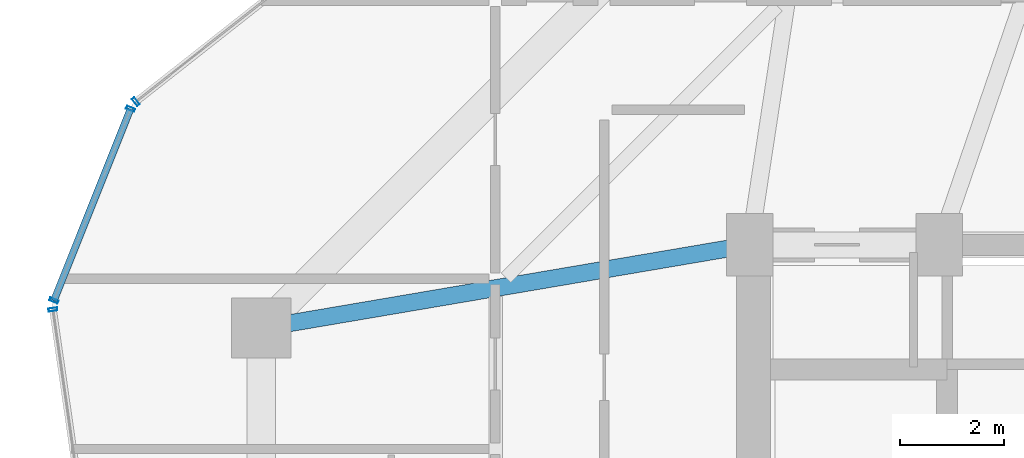
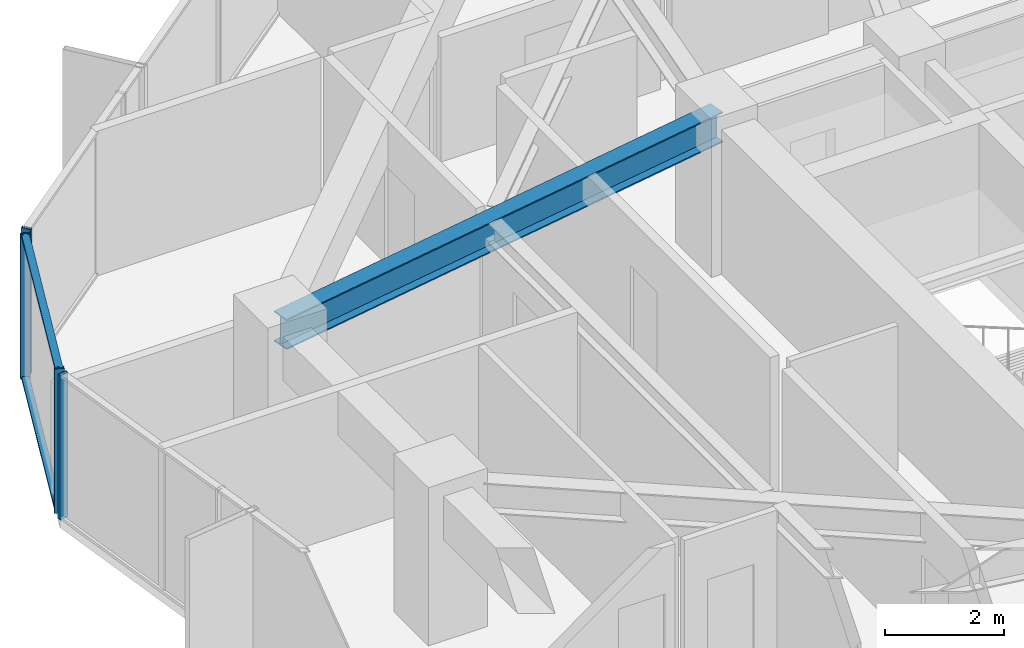
# One storey, part 12 of 34: 6 members, 1 beam, 3 elements without a shape of their own.
"""IFC4 building model written with IfcOpenShell, lengths in metres."""

from ifc_helpers import new_model, si_unit, direction, frame, origin, origin_2d, place, context, subcontext, project, spatial, hollow_rectangle, i_section, extrude, source, transform, mapped, material, layer, layer_set, material_profile, profile_set, type_object, element, aggregate, save


model = new_model("IFC4")

# Units and contexts
model_context = context("Model", 3, precision=1e-05, world=origin(), true_north=direction((0.0, 1.0)))
body_context = subcontext(model_context, "Body", "Model", "MODEL_VIEW")
ifc_project = project(units=[si_unit("LENGTHUNIT", "METRE"), si_unit("AREAUNIT", "SQUARE_METRE"), si_unit("VOLUMEUNIT", "CUBIC_METRE"), si_unit("PLANEANGLEUNIT", "RADIAN"), si_unit("MASSUNIT", "GRAM", prefix="KILO")], contexts=[model_context])

# Site, building, storey
site_placement = place(None, origin())
site = spatial("IfcSite", under=ifc_project, at=site_placement, CompositionType="ELEMENT")
building_placement = place(site_placement, origin())
building = spatial("IfcBuilding", under=site, at=building_placement, Name="Veraguas Prism Commons", CompositionType="ELEMENT")
storey_placement = place(building_placement, frame((0.0, 0.0, 155.5)))
storey = spatial("IfcBuildingStorey", under=building, at=storey_placement, Name="L44", CompositionType="ELEMENT", Elevation=155.5)

# Beam
ifc_material_1 = material(Name="Steel ASTM A992 Grade 50", Category="steel")
ifc_material_profile_1 = material_profile(ifc_material_1, i_section(OverallWidth=0.327880859375, OverallDepth=0.6220703125, WebThickness=0.015380859375, FlangeThickness=0.0244140625, at=origin_2d()), Name="W610X195")
ifc_profile_set_1 = profile_set([ifc_material_profile_1], Name="Steel ASTM A992 Grade 50")
beam_type = type_object("IfcBeamType", Name="Zone 2 Radial Girder W610x195", PredefinedType="BEAM", material=ifc_profile_set_1)
beam_placement = place(storey_placement, frame((7.800048828125, 29.39990234375, 2.658935546875), z_axis=(0.985819187151, 0.1678109956, 0.0), x_axis=(-0.1678109956, 0.985819187151, 0.0)))
element("IfcBeam", 1, at=beam_placement, inside=storey, type_object=beam_type, Name="Radial Floor Girder L44-RD07", PredefinedType="BEAM", context=body_context, shape_type="SweptSolid", body=[
    extrude(i_section(OverallWidth=0.327880859375, OverallDepth=0.6220703125, WebThickness=0.015380859375, FlangeThickness=0.0244140625, at=origin_2d()), origin(), (0.0, 0.0, 1.0), 9.53515625),
])

# Curtain wall, member
ifc_material_2 = material(Name="Anodised aluminium EN AW-6063 T6", Category="aluminium")
ifc_layer = layer(ifc_material_2, 0.169921875, Name="Unitised Flush Curtain Wall Zone 2", Category="aluminium")
ifc_layer_set = layer_set([ifc_layer], Name="Anodised aluminium EN AW-6063 T6")
curtain_wall_type = type_object("IfcCurtainWallType", Name="Unitised Flush Curtain Wall Zone 2", PredefinedType="NOTDEFINED", material=ifc_layer_set)
curtain_wall_1_placement = place(storey_placement, origin())
curtain_wall_1 = element("IfcCurtainWall", 2, at=curtain_wall_1_placement, inside=storey, type_object=curtain_wall_type, Name="Tower Facade Curtain Wall L44-F2", PredefinedType="NOTDEFINED")
ifc_material_profile_2 = material_profile(ifc_material_2, hollow_rectangle(XDim=0.06005859375, YDim=0.169921875, WallThickness=0.00390625, at=origin_2d()), Name="AL60X170X4")
ifc_profile_set_2 = profile_set([ifc_material_profile_2], Name="Anodised aluminium EN AW-6063 T6")
member_type_1 = type_object("IfcMemberType", Name="Curtain Wall Mullion Lower AL 60x170x4", PredefinedType="MULLION", material=ifc_profile_set_2)
shared_shape_1 = source(origin(), body_context, "Body", "SweptSolid", [
    extrude(hollow_rectangle(XDim=0.06005859375, YDim=0.169921875, WallThickness=0.00390625, at=origin_2d()), origin(), (0.0, 0.0, 1.0), 2.969970703125),
])
member_1_placement = place(storey_placement, frame((5.3857421875, 33.7578125, 0.0), z_axis=(0.0, 0.0, 1.0), x_axis=(-0.785639900244, -0.618684044682, 0.0)))
member_1 = element("IfcMember", 3, at=member_1_placement, type_object=member_type_1, Name="CW-Z2 Mullion 5", PredefinedType="MULLION", context=body_context, shape_type="MappedRepresentation", body=[
    mapped(shared_shape_1, transform((0.0, 0.0, 0.0), scale=1.0)),
])
aggregate(curtain_wall_1, [member_1])

curtain_wall_2_placement = place(storey_placement, origin())
curtain_wall_2 = element("IfcCurtainWall", 4, at=curtain_wall_2_placement, inside=storey, type_object=curtain_wall_type, Name="Tower Facade Curtain Wall L44-F3", PredefinedType="NOTDEFINED")
member_2_placement = place(storey_placement, frame((3.786865234375, 29.75634765625, 0.0), z_axis=(0.0, 0.0, 1.0), x_axis=(0.142970967293, -0.989726882787, 0.0)))
member_2 = element("IfcMember", 5, at=member_2_placement, type_object=member_type_1, Name="CW-Z2 Mullion 1", PredefinedType="MULLION", context=body_context, shape_type="MappedRepresentation", body=[
    mapped(shared_shape_1, transform((0.0, 0.0, 0.0), scale=1.0)),
])
aggregate(curtain_wall_2, [member_2])

# Curtain wall, members
curtain_wall_3_placement = place(storey_placement, origin())
curtain_wall_3 = element("IfcCurtainWall", 6, at=curtain_wall_3_placement, inside=storey, type_object=curtain_wall_type, Name="Chamfer Curtain Wall L44-C3", PredefinedType="NOTDEFINED")
member_3_placement = place(storey_placement, frame((5.281494140625, 33.61865234375, 0.0), z_axis=(0.0, 0.0, 1.0), x_axis=(-0.371022640526, -0.928623820617, 0.0)))
member_3 = element("IfcMember", 7, at=member_3_placement, type_object=member_type_1, Name="CW-Z2 Mullion 1", PredefinedType="MULLION", context=body_context, shape_type="MappedRepresentation", body=[
    mapped(shared_shape_1, transform((0.0, 0.0, 0.0), scale=1.0)),
])
member_4_placement = place(storey_placement, frame((3.807373046875, 29.928955078125, 0.0), z_axis=(0.0, 0.0, 1.0), x_axis=(-0.371022640526, -0.928623820617, 0.0)))
member_4 = element("IfcMember", 8, at=member_4_placement, type_object=member_type_1, Name="CW-Z2 Mullion 2", PredefinedType="MULLION", context=body_context, shape_type="MappedRepresentation", body=[
    mapped(shared_shape_1, transform((0.0, 0.0, 0.0), scale=1.0)),
])
ifc_material_profile_3 = material_profile(ifc_material_2, hollow_rectangle(XDim=0.054931640625, YDim=0.135009765625, WallThickness=0.0029296875, at=origin_2d()), Name="AL55X135X3")
ifc_profile_set_3 = profile_set([ifc_material_profile_3], Name="Anodised aluminium EN AW-6063 T6")
member_type_2 = type_object("IfcMemberType", Name="Curtain Wall Transom Standard AL 55x135x3", PredefinedType="USERDEFINED", material=ifc_profile_set_3)
shared_shape_2 = source(origin(), body_context, "Body", "SweptSolid", [
    extrude(hollow_rectangle(XDim=0.054931640625, YDim=0.135009765625, WallThickness=0.0029296875, at=origin_2d()), origin(), (0.0, 0.0, 1.0), 3.973388671875),
])
member_5_placement = place(storey_placement, frame((5.281494140625, 33.61865234375, 0.027587890625), z_axis=(-0.371009257794, -0.928629167446, 0.0), x_axis=(0.0, 0.0, 1.0)))
member_5 = element("IfcMember", 9, at=member_5_placement, type_object=member_type_2, Name="CW-Z2 Transom 1", ObjectType="TRANSOM", PredefinedType="USERDEFINED", context=body_context, shape_type="MappedRepresentation", body=[
    mapped(shared_shape_2, transform((0.0, 0.0, 0.0), scale=1.0)),
])
member_6_placement = place(storey_placement, frame((5.281494140625, 33.61865234375, 2.9423828125), z_axis=(-0.371009257794, -0.928629167446, 0.0), x_axis=(0.0, 0.0, 1.0)))
member_6 = element("IfcMember", 10, at=member_6_placement, type_object=member_type_2, Name="CW-Z2 Transom 2", ObjectType="TRANSOM", PredefinedType="USERDEFINED", context=body_context, shape_type="MappedRepresentation", body=[
    mapped(shared_shape_2, transform((0.0, 0.0, 0.0), scale=1.0)),
])
aggregate(curtain_wall_3, [member_3, member_4, member_5, member_6])

save(model, "model.ifc")
